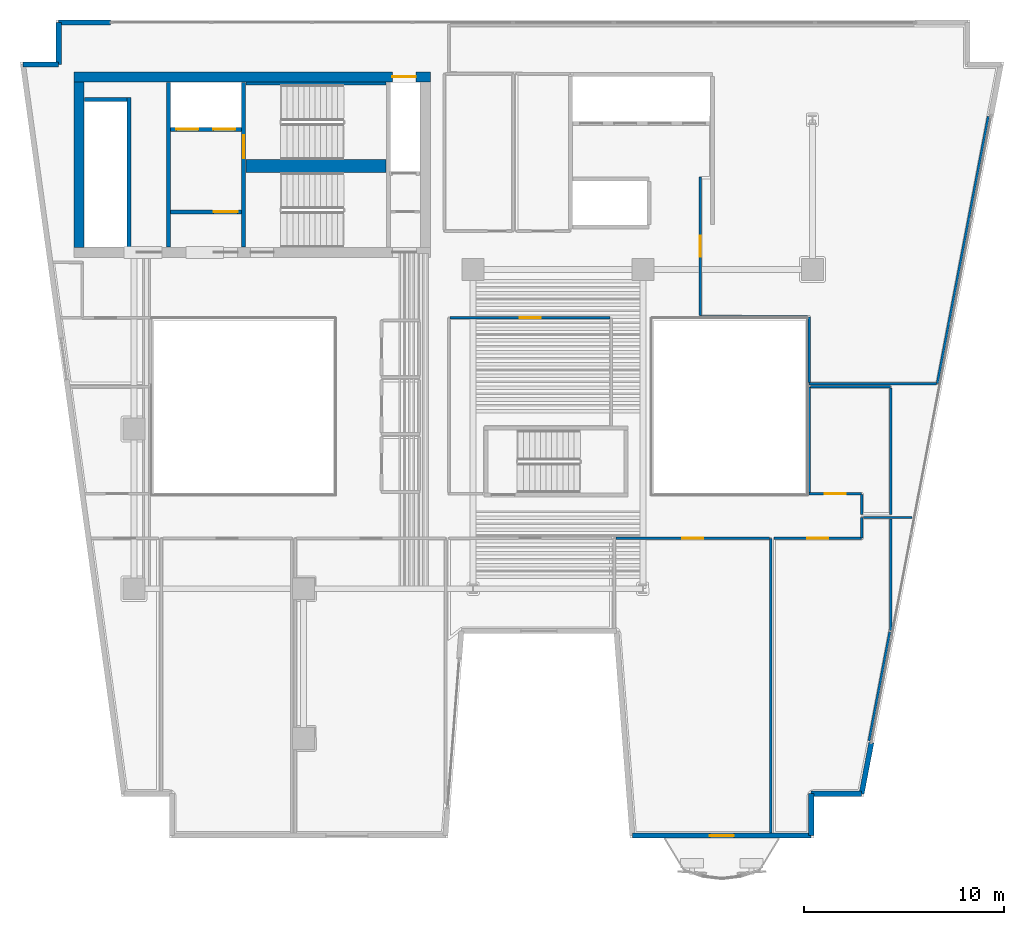
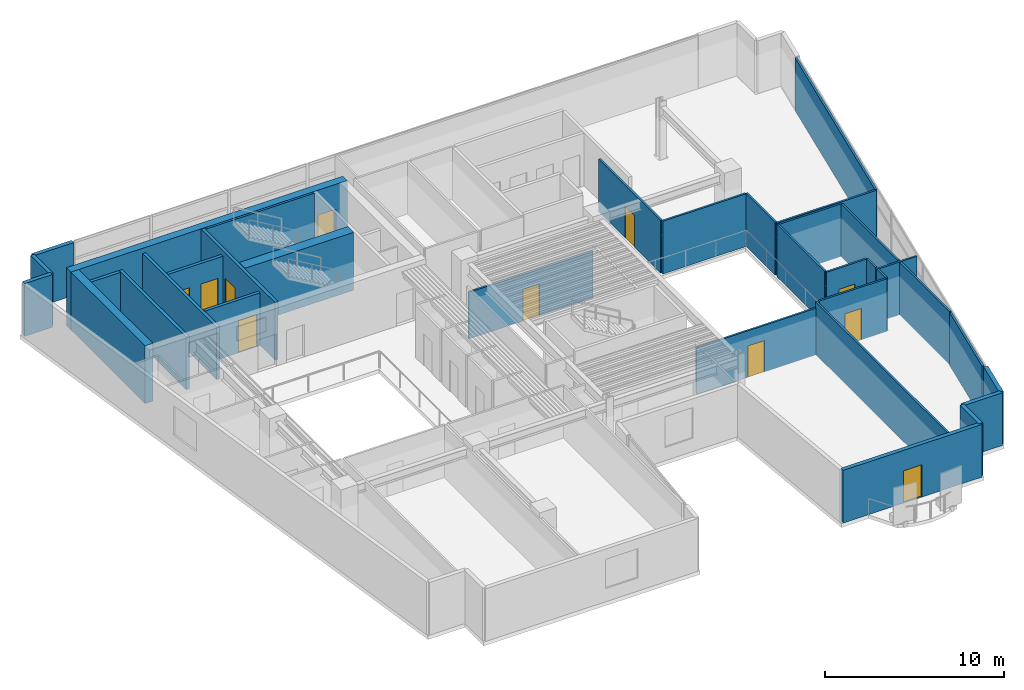
# One storey, part 8 of 14: 35 walls, 11 doors, 11 openings.
"""IFC4 building model written with IfcOpenShell, lengths in metres."""

from ifc_helpers import new_model, si_unit, direction, frame, frame_2d, origin, place, context, subcontext, project, spatial, rectangle, extrude, material, layer, layer_set, type_object, element, fill, save


model = new_model("IFC4")

# Units and contexts
model_context = context("Model", 3, precision=1e-05, world=origin(), true_north=direction((0.0, 1.0)))
body_context = subcontext(model_context, "Body", "Model", "MODEL_VIEW")
ifc_project = project(units=[si_unit("LENGTHUNIT", "METRE"), si_unit("AREAUNIT", "SQUARE_METRE"), si_unit("VOLUMEUNIT", "CUBIC_METRE"), si_unit("PLANEANGLEUNIT", "RADIAN"), si_unit("MASSUNIT", "GRAM", prefix="KILO")], contexts=[model_context])

# Site, building, storey
site_placement = place(None, origin())
site = spatial("IfcSite", under=ifc_project, at=site_placement, CompositionType="ELEMENT")
building_placement = place(site_placement, origin())
building = spatial("IfcBuilding", under=site, at=building_placement, Name="Caeloran Harvest Quay", CompositionType="ELEMENT")
storey_placement = place(building_placement, frame((0.0, 0.0, 174.60009765625)))
storey = spatial("IfcBuildingStorey", under=building, at=storey_placement, Name="L41", CompositionType="ELEMENT", Elevation=174.60009765625)

# Walls
ifc_material_1 = material(Name="Precast concrete C50/60", Category="concrete")
ifc_layer_1 = layer(ifc_material_1, 0.260009765625, Name="Precast concrete C50/60")
ifc_layer_set_1 = layer_set([ifc_layer_1], Name="Precast concrete C50/60")
wall_type_1 = type_object("IfcWallType", Name="ENV-WALL-EW-260", PredefinedType="STANDARD", material=ifc_layer_set_1)
wall_1_placement = place(storey_placement, frame((2.939697265625, 41.27001953125, 0.0), z_axis=(0.0, 0.0, 1.0), x_axis=(1.0, 0.0, 0.0)))
element("IfcWall", 1, at=wall_1_placement, inside=storey, type_object=wall_type_1, Name="L41 Exterior Precast Concrete Facade Wall 4", PredefinedType="STANDARD", context=body_context, shape_type="SweptSolid", body=[
    extrude(rectangle(XDim=1.790283203125, YDim=0.260009765625, at=frame_2d((0.89501953125, 0.0))), origin(), (0.0, 0.0, 1.0), 3.599853515625),
])
wall_2_placement = place(storey_placement, frame((4.72998046875, 41.27001953125, 0.0), z_axis=(0.0, 0.0, 1.0), x_axis=(0.0, 1.0, 0.0)))
element("IfcWall", 2, at=wall_2_placement, inside=storey, type_object=wall_type_1, Name="L41 Exterior Precast Concrete Facade Wall 5", PredefinedType="STANDARD", context=body_context, shape_type="SweptSolid", body=[
    extrude(rectangle(XDim=2.10009765625, YDim=0.260009765625, at=frame_2d((1.050048828125, 0.0))), origin(), (0.0, 0.0, 1.0), 3.599853515625),
])
wall_3_placement = place(storey_placement, frame((4.72998046875, 43.3701171875, 0.0), z_axis=(0.0, 0.0, 1.0), x_axis=(1.0, 0.0, 0.0)))
element("IfcWall", 3, at=wall_3_placement, inside=storey, type_object=wall_type_1, Name="L41 Exterior Facade Corner Pier Wall 6A", PredefinedType="STANDARD", context=body_context, shape_type="SweptSolid", body=[
    extrude(rectangle(XDim=2.60009765625, YDim=0.260009765625, at=frame_2d((1.300048828125, 0.0))), origin(), (0.0, 0.0, 1.0), 3.599853515625),
])
wall_4_placement = place(storey_placement, frame((45.451171875, 7.28369140625, 0.0), z_axis=(0.0, 0.0, 1.0), x_axis=(-0.187621263149, -0.982241447718, 0.0)))
element("IfcWall", 4, at=wall_4_placement, inside=storey, type_object=wall_type_1, Name="L41 Exterior Facade Corner Pier Wall 9B", PredefinedType="STANDARD", context=body_context, shape_type="SweptSolid", body=[
    extrude(rectangle(XDim=2.599853515625, YDim=0.260009765625, at=frame_2d((1.2998046875, 0.0))), origin(), (0.0, 0.0, 1.0), 3.599853515625),
])
wall_5_placement = place(storey_placement, frame((44.96337890625, 4.72998046875, 0.0), z_axis=(0.0, 0.0, 1.0), x_axis=(-1.0, 0.0, 0.0)))
element("IfcWall", 5, at=wall_5_placement, inside=storey, type_object=wall_type_1, Name="L41 Exterior Precast Concrete Facade Wall 10", PredefinedType="STANDARD", context=body_context, shape_type="SweptSolid", body=[
    extrude(rectangle(XDim=2.5234375, YDim=0.260009765625, at=frame_2d((1.26171875, 0.0))), origin(), (0.0, 0.0, 1.0), 3.599853515625),
])
wall_6_placement = place(storey_placement, frame((42.43994140625, 4.72998046875, 0.0), z_axis=(0.0, 0.0, 1.0), x_axis=(0.0, -1.0, 0.0)))
element("IfcWall", 6, at=wall_6_placement, inside=storey, type_object=wall_type_1, Name="L41 Exterior Precast Concrete Facade Wall 11", PredefinedType="STANDARD", context=body_context, shape_type="SweptSolid", body=[
    extrude(rectangle(XDim=2.10009765625, YDim=0.260009765625, at=frame_2d((1.050048828125, 0.0))), origin(), (0.0, 0.0, 1.0), 3.599853515625),
])

# Wall, opening, door
wall_7_placement = place(storey_placement, frame((42.43994140625, 2.6298828125, 0.0), z_axis=(0.0, 0.0, 1.0), x_axis=(-1.0, 0.0, 0.0)))
wall_7 = element("IfcWall", 7, at=wall_7_placement, inside=storey, type_object=wall_type_1, Name="L41 Exterior Precast Concrete Facade Wall 12", PredefinedType="STANDARD", context=body_context, shape_type="SweptSolid", body=[
    extrude(rectangle(XDim=8.96484375, YDim=0.260009765625, at=frame_2d((4.482421875, 0.0))), origin(), (0.0, 0.0, 1.0), 3.599853515625),
])
opening_1_placement = place(wall_7_placement, frame((3.882080078125, 0.0, 0.0)))
opening_1 = element("IfcOpeningElement", 8, at=opening_1_placement, cuts=wall_7, Name="Opening BD-01", PredefinedType="OPENING", context=body_context, shape_type="SweptSolid", body=[
    extrude(rectangle(XDim=1.199951171875, YDim=2.199951171875, at=frame_2d((0.60009765625, 1.10009765625))), frame((0.0, 0.14013671875, 0.0), z_axis=(0.0, -1.0, 0.0), x_axis=(1.0, 0.0, 0.0)), (0.0, 0.0, 1.0), 0.280029296875),
])
ifc_material_2 = material(Name="Thermally Broken Powder-Coated Aluminium and Safety Glass", Category="aluminium")
door_type_1 = type_object("IfcDoorType", Name="EXTDOOR-BD-01", OperationType="NOTDEFINED", PredefinedType="DOOR", material=ifc_material_2)
door_1_placement = place(opening_1_placement, origin())
door_1 = element("IfcDoor", 9, at=door_1_placement, inside=storey, type_object=door_type_1, Name="L41 Planted Balcony Glazed Access Door", OperationType="SINGLE_SWING_RIGHT", OverallHeight=2.199951171875, OverallWidth=1.199951171875, PredefinedType="DOOR", context=body_context, shape_type="SweptSolid", body=[
    extrude(rectangle(XDim=1.199951171875, YDim=2.199951171875, at=frame_2d((0.60009765625, 1.10009765625))), frame((0.0, 0.02490234375, 0.0), z_axis=(0.0, -1.0, 0.0), x_axis=(1.0, 0.0, 0.0)), (0.0, 0.0, 1.0), 0.050048828125),
])
fill(opening_1, door_1)

# Wall
ifc_material_3 = material(Name="Twin-Stud Mineral-Wool Acoustic Gypsum Partition", Category="gypsum")
ifc_layer_2 = layer(ifc_material_3, 0.125, Name="Twin-Stud Mineral-Wool Acoustic Gypsum Partition")
ifc_layer_set_2 = layer_set([ifc_layer_2], Name="Twin-Stud Mineral-Wool Acoustic Gypsum Partition")
wall_type_2 = type_object("IfcWallType", Name="INT-WALL-PW-125", PredefinedType="PARTITIONING", material=ifc_layer_set_2)
wall_8_placement = place(storey_placement, frame((40.419921875, 17.52001953125, 0.0), z_axis=(0.0, 0.0, 1.0), x_axis=(0.0, -1.0, 0.0)))
element("IfcWall", 10, at=wall_8_placement, inside=storey, type_object=wall_type_2, Name="Culinary Product Studio Partition Wall", PredefinedType="PARTITIONING", context=body_context, shape_type="SweptSolid", body=[
    extrude(rectangle(XDim=14.755126953125, YDim=0.125, at=frame_2d((7.37744140625, 0.0))), origin(), (0.0, 0.0, 1.0), 3.599853515625),
])

# Wall, opening, door
wall_9_placement = place(storey_placement, frame((32.6474609375, 17.52001953125, 0.0), z_axis=(0.0, 0.0, 1.0), x_axis=(1.0, 0.0, 0.0)))
wall_9 = element("IfcWall", 11, at=wall_9_placement, inside=storey, type_object=wall_type_2, Name="Culinary Product Studio Partition Wall", PredefinedType="PARTITIONING", context=body_context, shape_type="SweptSolid", body=[
    extrude(rectangle(XDim=7.705078125, YDim=0.125, at=frame_2d((3.8525390625, 0.0))), origin(), (0.0, 0.0, 1.0), 3.184814453125),
])
opening_2_placement = place(wall_9_placement, frame((3.327392578125, 0.0, 0.0)))
opening_2 = element("IfcOpeningElement", 12, at=opening_2_placement, cuts=wall_9, Name="Opening ID-03", PredefinedType="OPENING", context=body_context, shape_type="SweptSolid", body=[
    extrude(rectangle(XDim=1.050048828125, YDim=2.14990234375, at=frame_2d((0.52490234375, 1.074951171875))), frame((0.0, 0.072509765625, 0.0), z_axis=(0.0, -1.0, 0.0), x_axis=(1.0, 0.0, 0.0)), (0.0, 0.0, 1.0), 0.14501953125),
])
ifc_material_4 = material(Name="FSC Solid-Core Oak Timber Leaf", Category="wood")
door_type_2 = type_object("IfcDoorType", Name="INTDOOR-ID-03", OperationType="NOTDEFINED", PredefinedType="DOOR", material=ifc_material_4)
door_2_placement = place(opening_2_placement, origin())
door_2 = element("IfcDoor", 13, at=door_2_placement, inside=storey, type_object=door_type_2, Name="Culinary Product Studio Access Door", OperationType="SINGLE_SWING_RIGHT", OverallHeight=2.14990234375, OverallWidth=1.050048828125, PredefinedType="DOOR", context=body_context, shape_type="SweptSolid", body=[
    extrude(rectangle(XDim=1.050048828125, YDim=2.14990234375, at=frame_2d((0.52490234375, 1.074951171875))), frame((0.0, 0.02490234375, 0.0), z_axis=(0.0, -1.0, 0.0), x_axis=(1.0, 0.0, 0.0)), (0.0, 0.0, 1.0), 0.050048828125),
])
fill(opening_2, door_2)

# Walls
wall_10_placement = place(storey_placement, frame((44.97998046875, 17.550048828125, 0.0), z_axis=(0.0, 0.0, 1.0), x_axis=(0.0, 1.0, 0.0)))
element("IfcWall", 14, at=wall_10_placement, inside=storey, type_object=wall_type_2, Name="Investor Dining Salon Lounge Partition Wall", PredefinedType="PARTITIONING", context=body_context, shape_type="SweptSolid", body=[
    extrude(rectangle(XDim=1.02001953125, YDim=0.125, at=frame_2d((0.510009765625, 0.0))), origin(), (0.0, 0.0, 1.0), 3.599853515625),
])
wall_11_placement = place(storey_placement, frame((45.047607421875, 18.570068359375, 0.0), z_axis=(0.0, 0.0, 1.0), x_axis=(1.0, 0.0, 0.0)))
element("IfcWall", 15, at=wall_11_placement, inside=storey, type_object=wall_type_2, Name="Investor Dining Salon Lounge Partition Wall", PredefinedType="PARTITIONING", context=body_context, shape_type="SweptSolid", body=[
    extrude(rectangle(XDim=2.4521484375, YDim=0.125, at=frame_2d((1.22607421875, 0.0))), origin(), (0.0, 0.0, 1.0), 3.599853515625),
])
wall_12_placement = place(storey_placement, frame((46.419921875, 18.50244140625, 0.0), z_axis=(0.0, 0.0, 1.0), x_axis=(0.0, -1.0, 0.0)))
element("IfcWall", 16, at=wall_12_placement, inside=storey, type_object=wall_type_2, Name="Investor Dining Salon Lounge Partition Wall", PredefinedType="PARTITIONING", context=body_context, shape_type="SweptSolid", body=[
    extrude(rectangle(XDim=5.5859375, YDim=0.125, at=frame_2d((2.79296875, 0.0))), origin(), (0.0, 0.0, 1.0), 3.599853515625),
])
wall_13_placement = place(storey_placement, frame((46.38037109375, 12.841796875, 0.0), z_axis=(0.0, 0.0, 1.0), x_axis=(-0.18761256213, -0.982243109689, 0.0)))
element("IfcWall", 17, at=wall_13_placement, inside=storey, type_object=wall_type_2, Name="Investor Dining Salon Lounge Partition Wall", PredefinedType="PARTITIONING", context=body_context, shape_type="SweptSolid", body=[
    extrude(rectangle(XDim=5.55908203125, YDim=0.125, at=frame_2d((2.779541015625, 0.0))), origin(), (0.0, 0.0, 1.0), 3.599853515625),
])

# Wall, opening, door
wall_14_placement = place(storey_placement, frame((40.580078125, 17.52001953125, 0.0), z_axis=(0.0, 0.0, 1.0), x_axis=(1.0, 0.0, 0.0)))
wall_14 = element("IfcWall", 18, at=wall_14_placement, inside=storey, type_object=wall_type_2, Name="Investor Dining Salon Lounge Partition Wall", PredefinedType="PARTITIONING", context=body_context, shape_type="SweptSolid", body=[
    extrude(rectangle(XDim=4.369873046875, YDim=0.125, at=frame_2d((2.18505859375, 0.0))), origin(), (0.0, 0.0, 1.0), 3.599853515625),
])
opening_3_placement = place(wall_14_placement, frame((1.659912109375, 0.0, 0.0)))
opening_3 = element("IfcOpeningElement", 19, at=opening_3_placement, cuts=wall_14, Name="Opening ID-03", PredefinedType="OPENING", context=body_context, shape_type="SweptSolid", body=[
    extrude(rectangle(XDim=1.050048828125, YDim=2.14990234375, at=frame_2d((0.52490234375, 1.074951171875))), frame((0.0, 0.072509765625, 0.0), z_axis=(0.0, -1.0, 0.0), x_axis=(1.0, 0.0, 0.0)), (0.0, 0.0, 1.0), 0.14501953125),
])
door_3_placement = place(opening_3_placement, origin())
door_3 = element("IfcDoor", 20, at=door_3_placement, inside=storey, type_object=door_type_2, Name="Investor Dining Salon Lounge Access Door", OperationType="SINGLE_SWING_LEFT", OverallHeight=2.14990234375, OverallWidth=1.050048828125, PredefinedType="DOOR", context=body_context, shape_type="SweptSolid", body=[
    extrude(rectangle(XDim=1.050048828125, YDim=2.14990234375, at=frame_2d((0.52490234375, 1.074951171875))), frame((0.0, 0.02490234375, 0.0), z_axis=(0.0, -1.0, 0.0), x_axis=(1.0, 0.0, 0.0)), (0.0, 0.0, 1.0), 0.050048828125),
])
fill(opening_3, door_3)

wall_15_placement = place(storey_placement, frame((44.949951171875, 19.75, 0.0), z_axis=(0.0, 0.0, 1.0), x_axis=(-1.0, 0.0, 0.0)))
wall_15 = element("IfcWall", 21, at=wall_15_placement, inside=storey, type_object=wall_type_2, Name="Summit Boardroom Partition Wall", PredefinedType="PARTITIONING", context=body_context, shape_type="SweptSolid", body=[
    extrude(rectangle(XDim=2.619873046875, YDim=0.125, at=frame_2d((1.31005859375, 0.0))), origin(), (0.0, 0.0, 1.0), 3.599853515625),
])
opening_4_placement = place(wall_15_placement, frame((0.784912109375, 0.0, 0.0)))
opening_4 = element("IfcOpeningElement", 22, at=opening_4_placement, cuts=wall_15, Name="Opening ID-03", PredefinedType="OPENING", context=body_context, shape_type="SweptSolid", body=[
    extrude(rectangle(XDim=1.050048828125, YDim=2.14990234375, at=frame_2d((0.52490234375, 1.074951171875))), frame((0.0, 0.072509765625, 0.0), z_axis=(0.0, -1.0, 0.0), x_axis=(1.0, 0.0, 0.0)), (0.0, 0.0, 1.0), 0.14501953125),
])
door_4_placement = place(opening_4_placement, origin())
door_4 = element("IfcDoor", 23, at=door_4_placement, inside=storey, type_object=door_type_2, Name="Summit Boardroom Access Door", OperationType="SINGLE_SWING_RIGHT", OverallHeight=2.14990234375, OverallWidth=1.050048828125, PredefinedType="DOOR", context=body_context, shape_type="SweptSolid", body=[
    extrude(rectangle(XDim=1.050048828125, YDim=2.14990234375, at=frame_2d((0.52490234375, 1.074951171875))), frame((0.0, 0.02490234375, 0.0), z_axis=(0.0, -1.0, 0.0), x_axis=(1.0, 0.0, 0.0)), (0.0, 0.0, 1.0), 0.050048828125),
])
fill(opening_4, door_4)

# Walls
wall_16_placement = place(storey_placement, frame((42.330078125, 19.8173828125, 0.0), z_axis=(0.0, 0.0, 1.0), x_axis=(0.0, 1.0, 0.0)))
element("IfcWall", 24, at=wall_16_placement, inside=storey, type_object=wall_type_2, Name="Summit Boardroom Partition Wall", PredefinedType="PARTITIONING", context=body_context, shape_type="SweptSolid", body=[
    extrude(rectangle(XDim=5.302734375, YDim=0.125, at=frame_2d((2.6513671875, 0.0))), origin(), (0.0, 0.0, 1.0), 3.599853515625),
])
wall_17_placement = place(storey_placement, frame((42.3974609375, 25.1201171875, 0.0), z_axis=(0.0, 0.0, 1.0), x_axis=(1.0, 0.0, 0.0)))
element("IfcWall", 25, at=wall_17_placement, inside=storey, type_object=wall_type_2, Name="Summit Boardroom Partition Wall", PredefinedType="PARTITIONING", context=body_context, shape_type="SweptSolid", body=[
    extrude(rectangle(XDim=4.0224609375, YDim=0.125, at=frame_2d((2.01123046875, 0.0))), origin(), (0.0, 0.0, 1.0), 3.599853515625),
])
wall_18_placement = place(storey_placement, frame((46.419921875, 25.052490234375, 0.0), z_axis=(0.0, 0.0, 1.0), x_axis=(0.0, -1.0, 0.0)))
element("IfcWall", 26, at=wall_18_placement, inside=storey, type_object=wall_type_2, Name="Summit Boardroom Partition Wall", PredefinedType="PARTITIONING", context=body_context, shape_type="SweptSolid", body=[
    extrude(rectangle(XDim=6.322509765625, YDim=0.125, at=frame_2d((3.1611328125, 0.0))), origin(), (0.0, 0.0, 1.0), 3.599853515625),
])
wall_19_placement = place(storey_placement, frame((44.97998046875, 18.72998046875, 0.0), z_axis=(0.0, 0.0, 1.0), x_axis=(0.0, 1.0, 0.0)))
element("IfcWall", 27, at=wall_19_placement, inside=storey, type_object=wall_type_2, Name="Summit Boardroom Partition Wall", PredefinedType="PARTITIONING", context=body_context, shape_type="SweptSolid", body=[
    extrude(rectangle(XDim=0.989990234375, YDim=0.125, at=frame_2d((0.4951171875, 0.0))), origin(), (0.0, 0.0, 1.0), 3.599853515625),
])

# Wall, opening, door
wall_20_placement = place(storey_placement, frame((24.347412109375, 28.570068359375, 0.0), z_axis=(0.0, 0.0, 1.0), x_axis=(1.0, 0.0, 0.0)))
wall_20 = element("IfcWall", 28, at=wall_20_placement, inside=storey, type_object=wall_type_2, Name="Hospitality Tasting Dining Kitchen 9 Partition Wall", PredefinedType="PARTITIONING", context=body_context, shape_type="SweptSolid", body=[
    extrude(rectangle(XDim=8.005126953125, YDim=0.125, at=frame_2d((4.00244140625, 0.0))), origin(), (0.0, 0.0, 1.0), 3.184814453125),
])
opening_5_placement = place(wall_20_placement, frame((3.4775390625, 0.0, 0.0)))
opening_5 = element("IfcOpeningElement", 29, at=opening_5_placement, cuts=wall_20, Name="Opening ID-03", PredefinedType="OPENING", context=body_context, shape_type="SweptSolid", body=[
    extrude(rectangle(XDim=1.050048828125, YDim=2.14990234375, at=frame_2d((0.52490234375, 1.074951171875))), frame((0.0, 0.072509765625, 0.0), z_axis=(0.0, -1.0, 0.0), x_axis=(1.0, 0.0, 0.0)), (0.0, 0.0, 1.0), 0.14501953125),
])
door_5_placement = place(opening_5_placement, origin())
door_5 = element("IfcDoor", 30, at=door_5_placement, inside=storey, type_object=door_type_2, Name="Hospitality Tasting Dining Kitchen 9 Access Door", OperationType="SINGLE_SWING_RIGHT", OverallHeight=2.14990234375, OverallWidth=1.050048828125, PredefinedType="DOOR", context=body_context, shape_type="SweptSolid", body=[
    extrude(rectangle(XDim=1.050048828125, YDim=2.14990234375, at=frame_2d((0.52490234375, 1.074951171875))), frame((0.0, 0.02490234375, 0.0), z_axis=(0.0, -1.0, 0.0), x_axis=(1.0, 0.0, 0.0)), (0.0, 0.0, 1.0), 0.050048828125),
])
fill(opening_5, door_5)

# Walls
wall_21_placement = place(storey_placement, frame((51.312744140625, 38.667236328125, 0.0), z_axis=(0.0, 0.0, 1.0), x_axis=(-0.187586215474, -0.982248141645, 0.0)))
element("IfcWall", 31, at=wall_21_placement, inside=storey, type_object=wall_type_2, Name="Investor Dining Salon Lounge 11 Partition Wall", PredefinedType="PARTITIONING", context=body_context, shape_type="SweptSolid", body=[
    extrude(rectangle(XDim=13.629150390625, YDim=0.125, at=frame_2d((6.814453125, 0.0))), origin(), (0.0, 0.0, 1.0), 3.599853515625),
])
wall_22_placement = place(storey_placement, frame((48.729248046875, 25.280029296875, 0.0), z_axis=(0.0, 0.0, 1.0), x_axis=(-1.0, 0.0, 0.0)))
element("IfcWall", 32, at=wall_22_placement, inside=storey, type_object=wall_type_2, Name="Investor Dining Salon Lounge 11 Partition Wall", PredefinedType="PARTITIONING", context=body_context, shape_type="SweptSolid", body=[
    extrude(rectangle(XDim=6.399169921875, YDim=0.125, at=frame_2d((3.19970703125, 0.0))), origin(), (0.0, 0.0, 1.0), 3.599853515625),
])
wall_23_placement = place(storey_placement, frame((42.330078125, 25.347412109375, 0.0), z_axis=(0.0, 0.0, 1.0), x_axis=(0.0, 1.0, 0.0)))
element("IfcWall", 33, at=wall_23_placement, inside=storey, type_object=wall_type_2, Name="Investor Dining Salon Lounge 11 Partition Wall", PredefinedType="PARTITIONING", context=body_context, shape_type="SweptSolid", body=[
    extrude(rectangle(XDim=3.282470703125, YDim=0.125, at=frame_2d((1.64111328125, 0.0))), origin(), (0.0, 0.0, 1.0), 3.599853515625),
])
wall_24_placement = place(storey_placement, frame((42.262451171875, 28.6298828125, 0.0), z_axis=(0.0, 0.0, 1.0), x_axis=(-1.0, 0.0, 0.0)))
element("IfcWall", 34, at=wall_24_placement, inside=storey, type_object=wall_type_2, Name="Investor Dining Salon Lounge 11 Partition Wall", PredefinedType="PARTITIONING", context=body_context, shape_type="SweptSolid", body=[
    extrude(rectangle(XDim=5.382568359375, YDim=0.125, at=frame_2d((2.69140625, 0.0))), origin(), (0.0, 0.0, 1.0), 3.599853515625),
])

# Wall, opening, door
wall_25_placement = place(storey_placement, frame((36.8798828125, 28.697509765625, 0.0), z_axis=(0.0, 0.0, 1.0), x_axis=(0.0, 1.0, 0.0)))
wall_25 = element("IfcWall", 35, at=wall_25_placement, inside=storey, type_object=wall_type_2, Name="Investor Dining Salon Lounge 11 Partition Wall", PredefinedType="PARTITIONING", context=body_context, shape_type="SweptSolid", body=[
    extrude(rectangle(XDim=6.922607421875, YDim=0.125, at=frame_2d((3.46142578125, 0.0))), origin(), (0.0, 0.0, 1.0), 3.599853515625),
])
opening_6_placement = place(wall_25_placement, frame((2.936279296875, 0.0, 0.0)))
opening_6 = element("IfcOpeningElement", 36, at=opening_6_placement, cuts=wall_25, Name="Opening ID-03", PredefinedType="OPENING", context=body_context, shape_type="SweptSolid", body=[
    extrude(rectangle(XDim=1.050048828125, YDim=2.14990234375, at=frame_2d((0.52490234375, 1.074951171875))), frame((0.0, 0.072509765625, 0.0), z_axis=(0.0, -1.0, 0.0), x_axis=(1.0, 0.0, 0.0)), (0.0, 0.0, 1.0), 0.14501953125),
])
door_6_placement = place(opening_6_placement, origin())
door_6 = element("IfcDoor", 37, at=door_6_placement, inside=storey, type_object=door_type_2, Name="Investor Dining Salon Lounge 11 Access Door", OperationType="SINGLE_SWING_RIGHT", OverallHeight=2.14990234375, OverallWidth=1.050048828125, PredefinedType="DOOR", context=body_context, shape_type="SweptSolid", body=[
    extrude(rectangle(XDim=1.050048828125, YDim=2.14990234375, at=frame_2d((0.52490234375, 1.074951171875))), frame((0.0, 0.02490234375, 0.0), z_axis=(0.0, -1.0, 0.0), x_axis=(1.0, 0.0, 0.0)), (0.0, 0.0, 1.0), 0.050048828125),
])
fill(opening_6, door_6)

# Walls
ifc_material_5 = material(Name="Concrete C50/60", Category="concrete")
ifc_layer_3 = layer(ifc_material_5, 0.199951171875, Name="Concrete C50/60")
ifc_layer_set_3 = layer_set([ifc_layer_3], Name="Concrete C50/60")
wall_type_3 = type_object("IfcWallType", Name="INT-WALL-SW-200", PredefinedType="PARTITIONING", material=ifc_layer_set_3)
wall_26_placement = place(storey_placement, frame((8.260009765625, 32.1201171875, 0.0), z_axis=(0.0, 0.0, 1.0), x_axis=(0.0, 1.0, 0.0)))
element("IfcWall", 38, at=wall_26_placement, inside=storey, type_object=wall_type_3, Name="L41 Bank 3 Lift Shaft Wall", PredefinedType="PARTITIONING", context=body_context, shape_type="SweptSolid", body=[
    extrude(rectangle(XDim=7.5, YDim=0.199951171875, at=frame_2d((3.75, 0.0))), origin(), (0.0, 0.0, 1.0), 3.599853515625),
])
wall_27_placement = place(storey_placement, frame((6.02001953125, 39.52001953125, 0.0), z_axis=(0.0, 0.0, 1.0), x_axis=(1.0, 0.0, 0.0)))
element("IfcWall", 39, at=wall_27_placement, inside=storey, type_object=wall_type_3, Name="L41 Bank 3 Lift Shaft North End Wall", PredefinedType="PARTITIONING", context=body_context, shape_type="SweptSolid", body=[
    extrude(rectangle(XDim=2.119873046875, YDim=0.199951171875, at=frame_2d((1.06005859375, 0.0))), origin(), (0.0, 0.0, 1.0), 3.599853515625),
])
wall_28_placement = place(storey_placement, frame((10.219970703125, 32.1201171875, 0.0), z_axis=(0.0, 0.0, 1.0), x_axis=(0.0, 1.0, 0.0)))
element("IfcWall", 40, at=wall_28_placement, inside=storey, type_object=wall_type_3, Name="L41 Core Lobby Compartment Wall", PredefinedType="PARTITIONING", context=body_context, shape_type="SweptSolid", body=[
    extrude(rectangle(XDim=8.259765625, YDim=0.199951171875, at=frame_2d((4.1298828125, 0.0))), origin(), (0.0, 0.0, 1.0), 3.599853515625),
])

# Wall, openings, doors
wall_29_placement = place(storey_placement, frame((10.340087890625, 38.02001953125, 0.0), z_axis=(0.0, 0.0, 1.0), x_axis=(1.0, 0.0, 0.0)))
wall_29 = element("IfcWall", 41, at=wall_29_placement, inside=storey, type_object=wall_type_3, Name="L41 Firefighting Lift Shaft Wall", PredefinedType="PARTITIONING", context=body_context, shape_type="SweptSolid", body=[
    extrude(rectangle(XDim=3.539794921875, YDim=0.199951171875, at=frame_2d((1.77001953125, 0.0))), origin(), (0.0, 0.0, 1.0), 3.599853515625),
])
opening_7_placement = place(wall_29_placement, frame((0.284912109375, 0.0, 0.0)))
opening_7 = element("IfcOpeningElement", 42, at=opening_7_placement, cuts=wall_29, Name="Opening LD-01", PredefinedType="OPENING", context=body_context, shape_type="SweptSolid", body=[
    extrude(rectangle(XDim=1.10009765625, YDim=2.199951171875, at=frame_2d((0.550048828125, 1.10009765625))), frame((0.0, 0.10986328125, 0.0), z_axis=(0.0, -1.0, 0.0), x_axis=(1.0, 0.0, 0.0)), (0.0, 0.0, 1.0), 0.219970703125),
])
opening_8_placement = place(wall_29_placement, frame((2.135009765625, 0.0, 0.0)))
opening_8 = element("IfcOpeningElement", 43, at=opening_8_placement, cuts=wall_29, Name="Opening LD-01", PredefinedType="OPENING", context=body_context, shape_type="SweptSolid", body=[
    extrude(rectangle(XDim=1.10009765625, YDim=2.199951171875, at=frame_2d((0.550048828125, 1.10009765625))), frame((0.0, 0.10986328125, 0.0), z_axis=(0.0, -1.0, 0.0), x_axis=(1.0, 0.0, 0.0)), (0.0, 0.0, 1.0), 0.219970703125),
])
ifc_material_6 = material(Name="Stainless Steel Grade 316", Category="steel")
door_type_3 = type_object("IfcDoorType", Name="INTDOOR-LD-01", OperationType="NOTDEFINED", PredefinedType="DOOR", material=ifc_material_6)
door_7_placement = place(opening_7_placement, origin())
door_7 = element("IfcDoor", 44, at=door_7_placement, inside=storey, type_object=door_type_3, Name="Lift FF-1 Sliding Landing Door (L41)", OperationType="DOUBLE_DOOR_SLIDING", OverallHeight=2.199951171875, OverallWidth=1.10009765625, PredefinedType="DOOR", context=body_context, shape_type="SweptSolid", body=[
    extrude(rectangle(XDim=1.10009765625, YDim=2.199951171875, at=frame_2d((0.550048828125, 1.10009765625))), frame((0.0, 0.02490234375, 0.0), z_axis=(0.0, -1.0, 0.0), x_axis=(1.0, 0.0, 0.0)), (0.0, 0.0, 1.0), 0.050048828125),
])
fill(opening_7, door_7)
door_8_placement = place(opening_8_placement, origin())
door_8 = element("IfcDoor", 45, at=door_8_placement, inside=storey, type_object=door_type_3, Name="Lift FF-2 Sliding Landing Door (L41)", OperationType="DOUBLE_DOOR_SLIDING", OverallHeight=2.199951171875, OverallWidth=1.10009765625, PredefinedType="DOOR", context=body_context, shape_type="SweptSolid", body=[
    extrude(rectangle(XDim=1.10009765625, YDim=2.199951171875, at=frame_2d((0.550048828125, 1.10009765625))), frame((0.0, 0.02490234375, 0.0), z_axis=(0.0, -1.0, 0.0), x_axis=(1.0, 0.0, 0.0)), (0.0, 0.0, 1.0), 0.050048828125),
])
fill(opening_8, door_8)

# Wall, opening, door
wall_30_placement = place(storey_placement, frame((10.340087890625, 33.8798828125, 0.0), z_axis=(0.0, 0.0, 1.0), x_axis=(1.0, 0.0, 0.0)))
wall_30 = element("IfcWall", 46, at=wall_30_placement, inside=storey, type_object=wall_type_3, Name="L41 Firefighting Lift Lobby Enclosure Wall", PredefinedType="PARTITIONING", context=body_context, shape_type="SweptSolid", body=[
    extrude(rectangle(XDim=3.559814453125, YDim=0.199951171875, at=frame_2d((1.77978515625, 0.0))), origin(), (0.0, 0.0, 1.0), 3.599853515625),
])
opening_9_placement = place(wall_30_placement, frame((2.14990234375, 0.0, 0.0)))
opening_9 = element("IfcOpeningElement", 47, at=opening_9_placement, cuts=wall_30, Name="Opening FD-01", PredefinedType="OPENING", context=body_context, shape_type="SweptSolid", body=[
    extrude(rectangle(XDim=1.199951171875, YDim=2.199951171875, at=frame_2d((0.60009765625, 1.10009765625))), frame((0.0, 0.10986328125, 0.0), z_axis=(0.0, -1.0, 0.0), x_axis=(1.0, 0.0, 0.0)), (0.0, 0.0, 1.0), 0.219970703125),
])
ifc_material_7 = material(Name="Steel", Category="steel")
door_type_4 = type_object("IfcDoorType", Name="INTDOOR-FD-01", OperationType="NOTDEFINED", PredefinedType="DOOR", material=ifc_material_7)
door_9_placement = place(opening_9_placement, origin())
door_9 = element("IfcDoor", 48, at=door_9_placement, inside=storey, type_object=door_type_4, Name="L41 Firefighting Lift Lobby Smoke-Seal Fire Door", OperationType="SINGLE_SWING_RIGHT", OverallHeight=2.199951171875, OverallWidth=1.199951171875, PredefinedType="DOOR", context=body_context, shape_type="SweptSolid", body=[
    extrude(rectangle(XDim=1.199951171875, YDim=2.199951171875, at=frame_2d((0.60009765625, 1.10009765625))), frame((0.0, 0.02490234375, 0.0), z_axis=(0.0, -1.0, 0.0), x_axis=(1.0, 0.0, 0.0)), (0.0, 0.0, 1.0), 0.050048828125),
])
fill(opening_9, door_9)

ifc_material_8 = material(Name="Concrete C70/85", Category="concrete")
ifc_layer_4 = layer(ifc_material_8, 0.5, Name="Concrete C70/85")
ifc_layer_set_4 = layer_set([ifc_layer_4], Name="Concrete C70/85")
wall_type_4 = type_object("IfcWallType", Name="STR-WALL-CW-500", PredefinedType="SHEAR", material=ifc_layer_set_4)
wall_31_placement = place(storey_placement, frame((5.5, 40.64990234375, 0.0), z_axis=(0.0, 0.0, 1.0), x_axis=(1.0, 0.0, 0.0)))
wall_31 = element("IfcWall", 49, at=wall_31_placement, inside=storey, type_object=wall_type_4, Name="L41 Rear Core Shear Wall N", PredefinedType="SHEAR", context=body_context, shape_type="SweptSolid", body=[
    extrude(rectangle(XDim=17.85009765625, YDim=0.5, at=frame_2d((8.925048828125, 0.0))), origin(), (0.0, 0.0, 1.0), 3.949951171875),
])
opening_10_placement = place(wall_31_placement, frame((15.945068359375, 0.0, 0.0)))
opening_10 = element("IfcOpeningElement", 50, at=opening_10_placement, cuts=wall_31, Name="Opening LD-02", PredefinedType="OPENING", context=body_context, shape_type="SweptSolid", body=[
    extrude(rectangle(XDim=1.179931640625, YDim=2.25, at=frame_2d((0.58984375, 1.125))), frame((0.0, 0.260009765625, 0.0), z_axis=(0.0, -1.0, 0.0), x_axis=(1.0, 0.0, 0.0)), (0.0, 0.0, 1.0), 0.52001953125),
])
door_type_5 = type_object("IfcDoorType", Name="INTDOOR-LD-02", OperationType="NOTDEFINED", PredefinedType="DOOR", material=ifc_material_6)
door_10_placement = place(opening_10_placement, origin())
door_10 = element("IfcDoor", 51, at=door_10_placement, inside=storey, type_object=door_type_5, Name="Lift SV-1 Sliding Landing Door (L41)", OperationType="DOUBLE_DOOR_SLIDING", OverallHeight=2.25, OverallWidth=1.179931640625, PredefinedType="DOOR", context=body_context, shape_type="SweptSolid", body=[
    extrude(rectangle(XDim=1.179931640625, YDim=2.25, at=frame_2d((0.58984375, 1.125))), frame((0.0, 0.02490234375, 0.0), z_axis=(0.0, -1.0, 0.0), x_axis=(1.0, 0.0, 0.0)), (0.0, 0.0, 1.0), 0.050048828125),
])
fill(opening_10, door_10)

# Walls
wall_32_placement = place(storey_placement, frame((5.75, 32.10009765625, 0.0), z_axis=(0.0, 0.0, 1.0), x_axis=(0.0, 1.0, 0.0)))
element("IfcWall", 52, at=wall_32_placement, inside=storey, type_object=wall_type_4, Name="L41 Rear Core Shear Wall W", PredefinedType="SHEAR", context=body_context, shape_type="SweptSolid", body=[
    extrude(rectangle(XDim=8.2998046875, YDim=0.5, at=frame_2d((4.14990234375, 0.0))), origin(), (0.0, 0.0, 1.0), 3.949951171875),
])
ifc_material_9 = material(Name="Concrete C60/75", Category="concrete")
ifc_layer_5 = layer(ifc_material_9, 0.64990234375, Name="Concrete C60/75")
ifc_layer_set_5 = layer_set([ifc_layer_5], Name="Concrete C60/75")
wall_type_5 = type_object("IfcWallType", Name="STR-WALL-CW-650", PredefinedType="SHEAR", material=ifc_layer_set_5)
wall_33_placement = place(storey_placement, frame((14.1201171875, 36.175048828125, 0.0), z_axis=(0.0, 0.0, 1.0), x_axis=(1.0, 0.0, 0.0)))
element("IfcWall", 53, at=wall_33_placement, inside=storey, type_object=wall_type_5, Name="L41 Core Stairs Dividing Shear Wall", PredefinedType="SHEAR", context=body_context, shape_type="SweptSolid", body=[
    extrude(rectangle(XDim=7.009765625, YDim=0.64990234375, at=frame_2d((3.5048828125, 0.0))), origin(), (0.0, 0.0, 1.0), 3.949951171875),
])
ifc_layer_6 = layer(ifc_material_9, 0.139892578125, Name="Concrete C60/75")
ifc_layer_set_6 = layer_set([ifc_layer_6], Name="Concrete C60/75")
wall_type_6 = type_object("IfcWallType", Name="STR-WALL-SW-140", PredefinedType="SHEAR", material=ifc_layer_set_6)
wall_34_placement = place(storey_placement, frame((14.1201171875, 40.320068359375, 0.0), z_axis=(0.0, 0.0, 1.0), x_axis=(1.0, 0.0, 0.0)))
element("IfcWall", 54, at=wall_34_placement, inside=storey, type_object=wall_type_6, Name="L41 Core Stair ST-C1 North Bearing Shear Wall", PredefinedType="SHEAR", context=body_context, shape_type="SweptSolid", body=[
    extrude(rectangle(XDim=7.009765625, YDim=0.139892578125, at=frame_2d((3.5048828125, 0.0))), origin(), (0.0, 0.0, 1.0), 3.949951171875),
])

# Wall, opening, door
ifc_layer_7 = layer(ifc_material_9, 0.199951171875, Name="Concrete C60/75")
ifc_layer_set_7 = layer_set([ifc_layer_7], Name="Concrete C60/75")
wall_type_7 = type_object("IfcWallType", Name="STR-WALL-SW-200", PredefinedType="SHEAR", material=ifc_layer_set_7)
wall_35_placement = place(storey_placement, frame((14.0, 32.1201171875, 0.0), z_axis=(0.0, 0.0, 1.0), x_axis=(0.0, 1.0, 0.0)))
wall_35 = element("IfcWall", 55, at=wall_35_placement, inside=storey, type_object=wall_type_7, Name="L41 Core Stair Shaft West Shear Wall", PredefinedType="SHEAR", context=body_context, shape_type="SweptSolid", body=[
    extrude(rectangle(XDim=8.259765625, YDim=0.199951171875, at=frame_2d((4.1298828125, 0.0))), origin(), (0.0, 0.0, 1.0), 3.949951171875),
])
opening_11_placement = place(wall_35_placement, frame((4.4599609375, 0.0, 0.0)))
opening_11 = element("IfcOpeningElement", 56, at=opening_11_placement, cuts=wall_35, Name="Opening SD-01", PredefinedType="OPENING", context=body_context, shape_type="SweptSolid", body=[
    extrude(rectangle(XDim=1.14990234375, YDim=2.199951171875, at=frame_2d((0.574951171875, 1.10009765625))), frame((0.0, 0.10986328125, 0.0), z_axis=(0.0, -1.0, 0.0), x_axis=(1.0, 0.0, 0.0)), (0.0, 0.0, 1.0), 0.219970703125),
])
door_type_6 = type_object("IfcDoorType", Name="INTDOOR-SD-01", OperationType="NOTDEFINED", PredefinedType="DOOR", material=ifc_material_7)
door_11_placement = place(opening_11_placement, origin())
door_11 = element("IfcDoor", 57, at=door_11_placement, inside=storey, type_object=door_type_6, Name="L41 Protected Stair ST-C1 Exit Door", OperationType="SINGLE_SWING_LEFT", OverallHeight=2.199951171875, OverallWidth=1.14990234375, PredefinedType="DOOR", context=body_context, shape_type="SweptSolid", body=[
    extrude(rectangle(XDim=1.14990234375, YDim=2.199951171875, at=frame_2d((0.574951171875, 1.10009765625))), frame((0.0, 0.02490234375, 0.0), z_axis=(0.0, -1.0, 0.0), x_axis=(1.0, 0.0, 0.0)), (0.0, 0.0, 1.0), 0.050048828125),
])
fill(opening_11, door_11)

save(model, "model.ifc")
